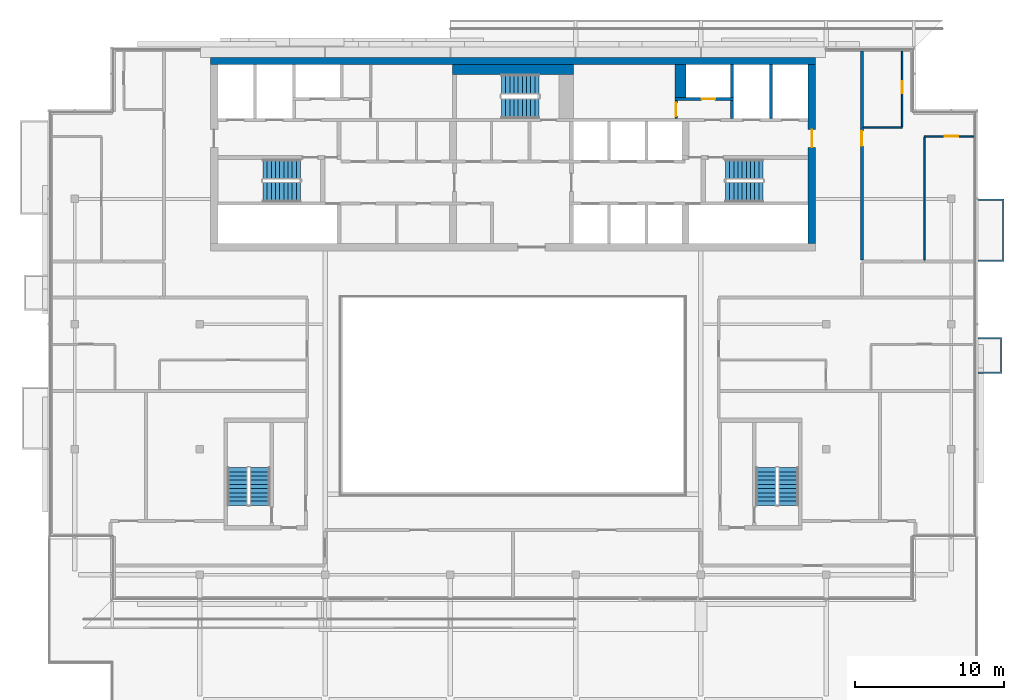
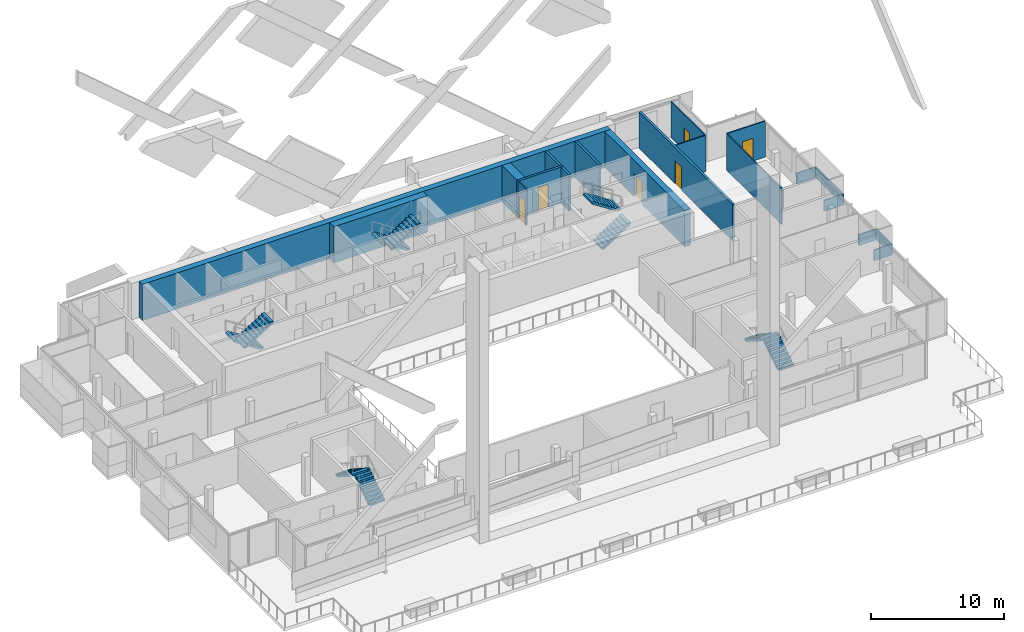
# One storey, part 16 of 22: 16 walls, 10 stair flights, 6 doors, 6 openings, 5 elements without a shape of their own.
"""IFC4 building model written with IfcOpenShell, lengths in metres."""

from ifc_helpers import new_model, si_unit, direction, frame, frame_2d, origin, place, context, subcontext, project, spatial, polyline, rectangle, outline, extrude, material, layer, layer_set, type_object, element, fill, aggregate, save


model = new_model("IFC4")

# Units and contexts
model_context = context("Model", 3, precision=1e-05, world=origin(), true_north=direction((0.0, 1.0)))
body_context = subcontext(model_context, "Body", "Model", "MODEL_VIEW")
ifc_project = project(units=[si_unit("LENGTHUNIT", "METRE"), si_unit("AREAUNIT", "SQUARE_METRE"), si_unit("VOLUMEUNIT", "CUBIC_METRE"), si_unit("PLANEANGLEUNIT", "RADIAN"), si_unit("MASSUNIT", "GRAM", prefix="KILO")], contexts=[model_context])

# Site, building, storey
site_placement = place(None, origin())
site = spatial("IfcSite", under=ifc_project, at=site_placement, CompositionType="ELEMENT")
building_placement = place(site_placement, origin())
building = spatial("IfcBuilding", under=site, at=building_placement, Name="Saffron Gate Tower", CompositionType="ELEMENT")
storey_placement = place(building_placement, frame((0.0, 0.0, 285.14990234375)))
storey = spatial("IfcBuildingStorey", under=building, at=storey_placement, Name="L69", CompositionType="ELEMENT", Elevation=285.14990234375)

# Wall
ifc_material_1 = material(Name="Concrete C50", Category="concrete")
ifc_layer_1 = layer(ifc_material_1, 0.5)
ifc_layer_set_1 = layer_set([ifc_layer_1], Name="CW22 RC core wall 500 C50")
wall_type_1 = type_object("IfcWallType", Name="CW22 RC core wall 500 C50", PredefinedType="SOLIDWALL", material=ifc_layer_set_1)
wall_1_placement = place(storey_placement, frame((67.300048828125, 74.64990234375, 0.0), z_axis=(0.0, 0.0, 1.0), x_axis=(1.0, 0.0, 0.0)))
element("IfcWall", 1, at=wall_1_placement, inside=storey, type_object=wall_type_1, Name="Wall CW22-L69-2", PredefinedType="SOLIDWALL", context=body_context, shape_type="SweptSolid", body=[
    extrude(rectangle(XDim=40.599853515625, YDim=0.5, at=frame_2d((20.2998046875, 0.0))), origin(), (0.0, 0.0, 1.0), 3.320068359375),
])

# Wall, opening, door
wall_2_placement = place(storey_placement, frame((107.64990234375, 62.39990234375, 0.0), z_axis=(0.0, 0.0, 1.0), x_axis=(0.0, 1.0, 0.0)))
wall_2 = element("IfcWall", 2, at=wall_2_placement, inside=storey, type_object=wall_type_1, Name="Wall CW22-L69-4", PredefinedType="SOLIDWALL", context=body_context, shape_type="SweptSolid", body=[
    extrude(rectangle(XDim=12.0, YDim=0.5, at=frame_2d((6.0, 0.0))), origin(), (0.0, 0.0, 1.0), 3.320068359375),
])
opening_1_placement = place(wall_2_placement, frame((6.449951171875, 0.0, 0.0)))
opening_1 = element("IfcOpeningElement", 3, at=opening_1_placement, cuts=wall_2, Name="Opening CR-08", PredefinedType="OPENING", context=body_context, shape_type="SweptSolid", body=[
    extrude(rectangle(XDim=1.199951171875, YDim=2.10009765625, at=frame_2d((0.60009765625, 1.050048828125))), frame((0.0, 0.260009765625, 0.0), z_axis=(0.0, -1.0, 0.0), x_axis=(1.0, 0.0, 0.0)), (0.0, 0.0, 1.0), 0.52001953125),
])
ifc_material_2 = material(Name="Steel fire door set", Category="steel")
door_type_1 = type_object("IfcDoorType", Name="CD7 Core entrance door 1200x2100 EI 120", OperationType="NOTDEFINED", PredefinedType="DOOR", material=ifc_material_2)
door_1_placement = place(opening_1_placement, origin())
door_1 = element("IfcDoor", 4, at=door_1_placement, inside=storey, type_object=door_type_1, Name="DOOR CR-08", OperationType="SINGLE_SWING_RIGHT", OverallHeight=2.10009765625, OverallWidth=1.199951171875, PredefinedType="DOOR", context=body_context, shape_type="SweptSolid", body=[
    extrude(rectangle(XDim=1.199951171875, YDim=2.10009765625, at=frame_2d((0.60009765625, 1.050048828125))), frame((0.0, 0.02490234375, 0.0), z_axis=(0.0, -1.0, 0.0), x_axis=(1.0, 0.0, 0.0)), (0.0, 0.0, 1.0), 0.050048828125),
])
fill(opening_1, door_1)

# Walls
ifc_layer_2 = layer(ifc_material_1, 0.199951171875)
ifc_layer_set_2 = layer_set([ifc_layer_2], Name="CW25 RC core wall 200 C50")
wall_type_2 = type_object("IfcWallType", Name="CW25 RC core wall 200 C50", PredefinedType="SOLIDWALL", material=ifc_layer_set_2)
wall_3_placement = place(storey_placement, frame((102.300048828125, 70.800048828125, 0.0), z_axis=(0.0, 0.0, 1.0), x_axis=(0.0, 1.0, 0.0)))
element("IfcWall", 5, at=wall_3_placement, inside=storey, type_object=wall_type_2, Name="Wall CW25-L69-40", PredefinedType="SOLIDWALL", context=body_context, shape_type="SweptSolid", body=[
    extrude(rectangle(XDim=1.199951171875, YDim=0.199951171875, at=frame_2d((0.60009765625, 0.0))), origin(), (0.0, 0.0, 1.0), 3.320068359375),
])
wall_4_placement = place(storey_placement, frame((104.89990234375, 70.800048828125, 0.0), z_axis=(0.0, 0.0, 1.0), x_axis=(0.0, 1.0, 0.0)))
element("IfcWall", 6, at=wall_4_placement, inside=storey, type_object=wall_type_2, Name="Wall CW25-L69-41", PredefinedType="SOLIDWALL", context=body_context, shape_type="SweptSolid", body=[
    extrude(rectangle(XDim=3.599853515625, YDim=0.199951171875, at=frame_2d((1.7998046875, 0.0))), origin(), (0.0, 0.0, 1.0), 3.320068359375),
])

# Wall, opening, door
wall_5_placement = place(storey_placement, frame((98.47998046875, 72.10009765625, 0.0), z_axis=(0.0, 0.0, 1.0), x_axis=(1.0, 0.0, 0.0)))
wall_5 = element("IfcWall", 7, at=wall_5_placement, inside=storey, type_object=wall_type_2, Name="Wall CW25-L69-43", PredefinedType="SOLIDWALL", context=body_context, shape_type="SweptSolid", body=[
    extrude(rectangle(XDim=3.919921875, YDim=0.199951171875, at=frame_2d((1.9599609375, 0.0))), origin(), (0.0, 0.0, 1.0), 3.320068359375),
])
opening_2_placement = place(wall_5_placement, frame((1.77001953125, 0.0, 0.0)))
opening_2 = element("IfcOpeningElement", 8, at=opening_2_placement, cuts=wall_5, Name="Opening CR-70", PredefinedType="OPENING", context=body_context, shape_type="SweptSolid", body=[
    extrude(rectangle(XDim=0.89990234375, YDim=2.10009765625, at=frame_2d((0.449951171875, 1.050048828125))), frame((0.0, 0.10986328125, 0.0), z_axis=(0.0, -1.0, 0.0), x_axis=(1.0, 0.0, 0.0)), (0.0, 0.0, 1.0), 0.219970703125),
])
door_type_2 = type_object("IfcDoorType", Name="CD2 Riser door 900x2100 EI 60", OperationType="NOTDEFINED", PredefinedType="DOOR", material=ifc_material_2)
door_2_placement = place(opening_2_placement, origin())
door_2 = element("IfcDoor", 9, at=door_2_placement, inside=storey, type_object=door_type_2, Name="DOOR CR-70", OperationType="SINGLE_SWING_LEFT", OverallHeight=2.10009765625, OverallWidth=0.89990234375, PredefinedType="DOOR", context=body_context, shape_type="SweptSolid", body=[
    extrude(rectangle(XDim=0.89990234375, YDim=2.10009765625, at=frame_2d((0.449951171875, 1.050048828125))), frame((0.0, 0.02490234375, 0.0), z_axis=(0.0, -1.0, 0.0), x_axis=(1.0, 0.0, 0.0)), (0.0, 0.0, 1.0), 0.050048828125),
])
fill(opening_2, door_2)

# Walls
wall_6_placement = place(storey_placement, frame((102.300048828125, 72.199951171875, 0.0), z_axis=(0.0, 0.0, 1.0), x_axis=(0.0, 1.0, 0.0)))
element("IfcWall", 10, at=wall_6_placement, inside=storey, type_object=wall_type_2, Name="Wall CW25-L69-48", PredefinedType="SOLIDWALL", context=body_context, shape_type="SweptSolid", body=[
    extrude(rectangle(XDim=2.199951171875, YDim=0.199951171875, at=frame_2d((1.10009765625, 0.0))), origin(), (0.0, 0.0, 1.0), 3.320068359375),
])
ifc_layer_3 = layer(ifc_material_1, 0.64990234375)
ifc_layer_set_3 = layer_set([ifc_layer_3], Name="CW29 RC core wall 650 C50")
wall_type_3 = type_object("IfcWallType", Name="CW29 RC core wall 650 C50", PredefinedType="SOLIDWALL", material=ifc_layer_set_3)
wall_7_placement = place(storey_placement, frame((83.550048828125, 74.074951171875, 0.0), z_axis=(0.0, 0.0, 1.0), x_axis=(1.0, 0.0, 0.0)))
element("IfcWall", 11, at=wall_7_placement, inside=storey, type_object=wall_type_3, Name="Wall CW29-L69-49", PredefinedType="SOLIDWALL", context=body_context, shape_type="SweptSolid", body=[
    extrude(rectangle(XDim=8.099853515625, YDim=0.64990234375, at=frame_2d((4.0498046875, 0.0))), origin(), (0.0, 0.0, 1.0), 3.320068359375),
])
ifc_layer_4 = layer(ifc_material_1, 0.719970703125)
ifc_layer_set_4 = layer_set([ifc_layer_4], Name="CW30 RC core wall 720 C50")
wall_type_4 = type_object("IfcWallType", Name="CW30 RC core wall 720 C50", PredefinedType="SOLIDWALL", material=ifc_layer_set_4)
wall_8_placement = place(storey_placement, frame((98.840087890625, 72.199951171875, 0.0), z_axis=(0.0, 0.0, 1.0), x_axis=(0.0, 1.0, 0.0)))
element("IfcWall", 12, at=wall_8_placement, inside=storey, type_object=wall_type_4, Name="Wall CW30-L69-47", PredefinedType="SOLIDWALL", context=body_context, shape_type="SweptSolid", body=[
    extrude(rectangle(XDim=2.199951171875, YDim=0.719970703125, at=frame_2d((1.10009765625, 0.0))), origin(), (0.0, 0.0, 1.0), 3.320068359375),
])

# Wall, opening, door
ifc_material_3 = material(Name="Gypsum board partition on steel studs", Category="steel")
ifc_layer_5 = layer(ifc_material_3, 0.1201171875)
ifc_layer_set_5 = layer_set([ifc_layer_5], Name="CW8 Core partition 120")
wall_type_5 = type_object("IfcWallType", Name="CW8 Core partition 120", PredefinedType="PARTITIONING", material=ifc_layer_set_5)
wall_9_placement = place(storey_placement, frame((98.5400390625, 70.800048828125, 0.0), z_axis=(0.0, 0.0, 1.0), x_axis=(0.0, 1.0, 0.0)))
wall_9 = element("IfcWall", 13, at=wall_9_placement, inside=storey, type_object=wall_type_5, Name="Wall CW8-L69-39", PredefinedType="PARTITIONING", context=body_context, shape_type="SweptSolid", body=[
    extrude(rectangle(XDim=1.199951171875, YDim=0.1201171875, at=frame_2d((0.60009765625, 0.0))), origin(), (0.0, 0.0, 1.0), 3.320068359375),
])
opening_3_placement = place(wall_9_placement, frame((0.14990234375, 0.0, 0.0)))
opening_3 = element("IfcOpeningElement", 14, at=opening_3_placement, cuts=wall_9, Name="Opening CR-54", PredefinedType="OPENING", context=body_context, shape_type="SweptSolid", body=[
    extrude(rectangle(XDim=0.89990234375, YDim=2.10009765625, at=frame_2d((0.449951171875, 1.050048828125))), frame((0.0, 0.070068359375, 0.0), z_axis=(0.0, -1.0, 0.0), x_axis=(1.0, 0.0, 0.0)), (0.0, 0.0, 1.0), 0.14013671875),
])
door_type_3 = type_object("IfcDoorType", Name="CD9 Room door 900x2100 EI 60", OperationType="NOTDEFINED", PredefinedType="DOOR", material=ifc_material_2)
door_3_placement = place(opening_3_placement, origin())
door_3 = element("IfcDoor", 15, at=door_3_placement, inside=storey, type_object=door_type_3, Name="DOOR CR-54", OperationType="SINGLE_SWING_LEFT", OverallHeight=2.10009765625, OverallWidth=0.89990234375, PredefinedType="DOOR", context=body_context, shape_type="SweptSolid", body=[
    extrude(rectangle(XDim=0.89990234375, YDim=2.10009765625, at=frame_2d((0.449951171875, 1.050048828125))), frame((0.0, 0.02490234375, 0.0), z_axis=(0.0, -1.0, 0.0), x_axis=(1.0, 0.0, 0.0)), (0.0, 0.0, 1.0), 0.050048828125),
])
fill(opening_3, door_3)

ifc_material_4 = material(Name="Plasterboard on steel studs", Category="steel")
ifc_layer_6 = layer(ifc_material_4, 0.10009765625)
ifc_layer_set_6 = layer_set([ifc_layer_6], Name="PW1 Partition 100")
wall_type_6 = type_object("IfcWallType", Name="PW1 Partition 100", PredefinedType="PARTITIONING", material=ifc_layer_set_6)
wall_10_placement = place(storey_placement, frame((118.52001953125, 69.60009765625, 0.0), z_axis=(0.0, 0.0, 1.0), x_axis=(-1.0, 0.0, 0.0)))
wall_10 = element("IfcWall", 16, at=wall_10_placement, inside=storey, type_object=wall_type_6, Name="Partition E4-24", PredefinedType="PARTITIONING", context=body_context, shape_type="SweptSolid", body=[
    extrude(rectangle(XDim=3.320068359375, YDim=0.10009765625, at=frame_2d((1.66015625, 0.0))), origin(), (0.0, 0.0, 1.0), 3.320068359375),
])
opening_4_placement = place(wall_10_placement, frame((1.070068359375, 0.0, 0.0)))
opening_4 = element("IfcOpeningElement", 17, at=opening_4_placement, cuts=wall_10, Name="Opening E4-8", PredefinedType="OPENING", context=body_context, shape_type="SweptSolid", body=[
    extrude(rectangle(XDim=0.89990234375, YDim=2.10009765625, at=frame_2d((0.449951171875, 1.050048828125))), frame((0.0, 0.06005859375, 0.0), z_axis=(0.0, -1.0, 0.0), x_axis=(1.0, 0.0, 0.0)), (0.0, 0.0, 1.0), 0.1201171875),
])
ifc_material_5 = material(Name="Timber door set", Category="wood")
door_type_4 = type_object("IfcDoorType", Name="RD1 Room door 900x2100", OperationType="NOTDEFINED", PredefinedType="DOOR", material=ifc_material_5)
door_4_placement = place(opening_4_placement, origin())
door_4 = element("IfcDoor", 18, at=door_4_placement, inside=storey, type_object=door_type_4, Name="Door E4-8", OperationType="SINGLE_SWING_LEFT", OverallHeight=2.10009765625, OverallWidth=0.89990234375, PredefinedType="DOOR", context=body_context, shape_type="SweptSolid", body=[
    extrude(rectangle(XDim=0.89990234375, YDim=2.10009765625, at=frame_2d((0.449951171875, 1.050048828125))), frame((0.0, 0.02490234375, 0.0), z_axis=(0.0, -1.0, 0.0), x_axis=(1.0, 0.0, 0.0)), (0.0, 0.0, 1.0), 0.050048828125),
])
fill(opening_4, door_4)

# Wall
wall_11_placement = place(storey_placement, frame((111.10009765625, 70.199951171875, 0.0), z_axis=(0.0, 0.0, 1.0), x_axis=(1.0, 0.0, 0.0)))
element("IfcWall", 19, at=wall_11_placement, inside=storey, type_object=wall_type_6, Name="Partition E4-25", PredefinedType="PARTITIONING", context=body_context, shape_type="SweptSolid", body=[
    extrude(rectangle(XDim=2.599853515625, YDim=0.10009765625, at=frame_2d((1.2998046875, 0.0))), origin(), (0.0, 0.0, 1.0), 3.320068359375),
])

# Wall, opening, door
wall_12_placement = place(storey_placement, frame((113.699951171875, 70.25, 0.0), z_axis=(0.0, 0.0, 1.0), x_axis=(0.0, 1.0, 0.0)))
wall_12 = element("IfcWall", 20, at=wall_12_placement, inside=storey, type_object=wall_type_6, Name="Partition E4-45", PredefinedType="PARTITIONING", context=body_context, shape_type="SweptSolid", body=[
    extrude(rectangle(XDim=5.070068359375, YDim=0.10009765625, at=frame_2d((2.53515625, 0.0))), origin(), (0.0, 0.0, 1.0), 3.320068359375),
])
opening_5_placement = place(wall_12_placement, frame((2.25, 0.0, 0.0)))
opening_5 = element("IfcOpeningElement", 21, at=opening_5_placement, cuts=wall_12, Name="Opening E4-12", PredefinedType="OPENING", context=body_context, shape_type="SweptSolid", body=[
    extrude(rectangle(XDim=0.800048828125, YDim=2.10009765625, at=frame_2d((0.39990234375, 1.050048828125))), frame((0.0, 0.06005859375, 0.0), z_axis=(0.0, -1.0, 0.0), x_axis=(1.0, 0.0, 0.0)), (0.0, 0.0, 1.0), 0.1201171875),
])
door_type_5 = type_object("IfcDoorType", Name="RD2 Bathroom door 800x2100", OperationType="NOTDEFINED", PredefinedType="DOOR", material=ifc_material_5)
door_5_placement = place(opening_5_placement, origin())
door_5 = element("IfcDoor", 22, at=door_5_placement, inside=storey, type_object=door_type_5, Name="Door E4-12", OperationType="SINGLE_SWING_RIGHT", OverallHeight=2.10009765625, OverallWidth=0.800048828125, PredefinedType="DOOR", context=body_context, shape_type="SweptSolid", body=[
    extrude(rectangle(XDim=0.800048828125, YDim=2.10009765625, at=frame_2d((0.39990234375, 1.050048828125))), frame((0.0, 0.02490234375, 0.0), z_axis=(0.0, -1.0, 0.0), x_axis=(1.0, 0.0, 0.0)), (0.0, 0.0, 1.0), 0.050048828125),
])
fill(opening_5, door_5)

# Wall
wall_13_placement = place(storey_placement, frame((115.199951171875, 69.550048828125, 0.0), z_axis=(0.0, 0.0, 1.0), x_axis=(0.0, -1.0, 0.0)))
element("IfcWall", 23, at=wall_13_placement, inside=storey, type_object=wall_type_6, Name="Partition E4-47", PredefinedType="PARTITIONING", context=body_context, shape_type="SweptSolid", body=[
    extrude(rectangle(XDim=8.25, YDim=0.10009765625, at=frame_2d((4.125, 0.0))), origin(), (0.0, 0.0, 1.0), 3.320068359375),
])

# Wall, opening, door
ifc_material_6 = material(Name="Clay brick masonry, rendered", Category="masonry")
ifc_layer_7 = layer(ifc_material_6, 0.199951171875)
ifc_layer_set_7 = layer_set([ifc_layer_7], Name="PW3 Corridor wall 200")
wall_type_7 = type_object("IfcWallType", Name="PW3 Corridor wall 200", PredefinedType="PARTITIONING", material=ifc_layer_set_7)
wall_14_placement = place(storey_placement, frame((111.0, 75.320068359375, 0.0), z_axis=(0.0, 0.0, 1.0), x_axis=(0.0, -1.0, 0.0)))
wall_14 = element("IfcWall", 24, at=wall_14_placement, inside=storey, type_object=wall_type_7, Name="Wall E4-41", PredefinedType="PARTITIONING", context=body_context, shape_type="SweptSolid", body=[
    extrude(rectangle(XDim=14.02001953125, YDim=0.199951171875, at=frame_2d((7.010009765625, 0.0))), origin(), (0.0, 0.0, 1.0), 3.320068359375),
])
opening_6_placement = place(wall_14_placement, frame((5.3701171875, 0.0, 0.0)))
opening_6 = element("IfcOpeningElement", 25, at=opening_6_placement, cuts=wall_14, Name="Opening E4-4", PredefinedType="OPENING", context=body_context, shape_type="SweptSolid", body=[
    extrude(rectangle(XDim=1.0, YDim=2.10009765625, at=frame_2d((0.5, 1.050048828125))), frame((0.0, 0.10986328125, 0.0), z_axis=(0.0, -1.0, 0.0), x_axis=(1.0, 0.0, 0.0)), (0.0, 0.0, 1.0), 0.219970703125),
])
ifc_material_7 = material(Name="Timber fire door set", Category="wood")
door_type_6 = type_object("IfcDoorType", Name="FD1 Flat entry door 1000x2100", OperationType="NOTDEFINED", PredefinedType="DOOR", material=ifc_material_7)
door_6_placement = place(opening_6_placement, origin())
door_6 = element("IfcDoor", 26, at=door_6_placement, inside=storey, type_object=door_type_6, Name="Door E4-4", OperationType="SINGLE_SWING_RIGHT", OverallHeight=2.10009765625, OverallWidth=1.0, PredefinedType="DOOR", context=body_context, shape_type="SweptSolid", body=[
    extrude(rectangle(XDim=1.0, YDim=2.10009765625, at=frame_2d((0.5, 1.050048828125))), frame((0.0, 0.02490234375, 0.0), z_axis=(0.0, -1.0, 0.0), x_axis=(1.0, 0.0, 0.0)), (0.0, 0.0, 1.0), 0.050048828125),
])
fill(opening_6, door_6)

# Walls
ifc_material_8 = material(Name="Rendered insulated panel, white")
ifc_layer_8 = layer(ifc_material_8, 0.10009765625)
ifc_layer_set_8 = layer_set([ifc_layer_8], Name="WB3 box parapet white")
wall_type_8 = type_object("IfcWallType", Name="WB3 box parapet white", PredefinedType="SOLIDWALL", material=ifc_layer_set_8)
wall_15_placement = place(storey_placement, origin())
element("IfcWall", 27, at=wall_15_placement, inside=storey, type_object=wall_type_8, Name="WINDOW BOX parapet", PredefinedType="SOLIDWALL", context=body_context, shape_type="SweptSolid", body=[
    extrude(outline(polyline([(118.800048828125, 53.699951171875), (118.800048828125, 53.800048828125), (120.300048828125, 53.800048828125), (120.300048828125, 56.0), (118.800048828125, 56.0), (118.800048828125, 56.10009765625), (120.39990234375, 56.10009765625), (120.39990234375, 53.699951171875), (118.800048828125, 53.699951171875)])), origin(), (0.0, 0.0, 1.0), 1.0),
])
wall_16_placement = place(storey_placement, origin())
element("IfcWall", 28, at=wall_16_placement, inside=storey, type_object=wall_type_8, Name="WINDOW BOX parapet", PredefinedType="SOLIDWALL", context=body_context, shape_type="SweptSolid", body=[
    extrude(outline(polyline([(118.800048828125, 61.199951171875), (118.800048828125, 61.300048828125), (120.43310546875, 61.300048828125), (120.43310546875, 65.300048828125), (118.800048828125, 65.300048828125), (118.800048828125, 65.39990234375), (120.532958984375, 65.39990234375), (120.532958984375, 61.199951171875), (118.800048828125, 61.199951171875)])), origin(), (0.0, 0.0, 1.0), 1.0),
])

# Stair, stair flights
ifc_material_9 = material(Name="Concrete C40", Category="concrete")
stair_type = type_object("IfcStairType", Name="ST7 Stair 1350 wide, 20 risers of 180", PredefinedType="HALF_TURN_STAIR", material=ifc_material_9)
stair_1_placement = place(storey_placement, origin())
stair_1 = element("IfcStair", 29, at=stair_1_placement, inside=storey, type_object=stair_type, Name="L69 Exit stair A", PredefinedType="HALF_TURN_STAIR")
stair_flight_type = type_object("IfcStairFlightType", Name="SF3 Stair flight 1350 wide, riser 180 going 280", PredefinedType="STRAIGHT", material=ifc_material_9)
stair_flight_1_placement = place(storey_placement, frame((73.35009765625, 67.375, 0.0), z_axis=(0.0, 0.0, 1.0), x_axis=(-1.0, 0.0, 0.0)))
stair_flight_1 = element("IfcStairFlight", 30, at=stair_flight_1_placement, type_object=stair_flight_type, Name="ST-A flight 1", NumberOfRisers=10, NumberOfTreads=9, PredefinedType="STRAIGHT", RiserHeight=0.18, TreadLength=0.28, context=body_context, shape_type="SweptSolid", body=[
    extrude(outline(polyline([(0.0, 0.0), (0.0, 0.179931640625), (0.280029296875, 0.179931640625), (0.280029296875, 0.360107421875), (0.56005859375, 0.360107421875), (0.56005859375, 0.5400390625), (0.840087890625, 0.5400390625), (0.840087890625, 0.719970703125), (1.1201171875, 0.719970703125), (1.1201171875, 0.89990234375), (1.39990234375, 0.89990234375), (1.39990234375, 1.080078125), (1.679931640625, 1.080078125), (1.679931640625, 1.260009765625), (1.9599609375, 1.260009765625), (1.9599609375, 1.43994140625), (2.239990234375, 1.43994140625), (2.239990234375, 1.6201171875), (2.52001953125, 1.6201171875), (2.52001953125, 1.800048828125), (2.52001953125, 1.44189453125), (0.277099609375, 0.0), (0.0, 0.0)])), frame((0.0, 0.675048828125, 0.0), z_axis=(0.0, -1.0, 0.0), x_axis=(1.0, 0.0, 0.0)), (0.0, 0.0, 1.0), 1.35009765625),
])
stair_flight_2_placement = place(storey_placement, frame((70.830078125, 65.875, 1.800048828125), z_axis=(0.0, 0.0, 1.0), x_axis=(1.0, 0.0, 0.0)))
stair_flight_2 = element("IfcStairFlight", 31, at=stair_flight_2_placement, type_object=stair_flight_type, Name="ST-A flight 2", NumberOfRisers=10, NumberOfTreads=9, PredefinedType="STRAIGHT", RiserHeight=0.18, TreadLength=0.28, context=body_context, shape_type="SweptSolid", body=[
    extrude(outline(polyline([(0.0, 0.0), (0.0, 0.179931640625), (0.280029296875, 0.179931640625), (0.280029296875, 0.360107421875), (0.56005859375, 0.360107421875), (0.56005859375, 0.5400390625), (0.840087890625, 0.5400390625), (0.840087890625, 0.719970703125), (1.1201171875, 0.719970703125), (1.1201171875, 0.89990234375), (1.39990234375, 0.89990234375), (1.39990234375, 1.080078125), (1.679931640625, 1.080078125), (1.679931640625, 1.260009765625), (1.9599609375, 1.260009765625), (1.9599609375, 1.43994140625), (2.239990234375, 1.43994140625), (2.239990234375, 1.6201171875), (2.52001953125, 1.6201171875), (2.52001953125, 1.800048828125), (2.52001953125, 1.44189453125), (0.277099609375, 0.0), (0.0, 0.0)])), frame((0.0, 0.675048828125, 0.0), z_axis=(0.0, -1.0, 0.0), x_axis=(1.0, 0.0, 0.0)), (0.0, 0.0, 1.0), 1.35009765625),
])
aggregate(stair_1, [stair_flight_1, stair_flight_2])

stair_2_placement = place(storey_placement, origin())
stair_2 = element("IfcStair", 32, at=stair_2_placement, inside=storey, type_object=stair_type, Name="L69 Exit stair B", PredefinedType="HALF_TURN_STAIR")
stair_flight_3_placement = place(storey_placement, frame((101.85009765625, 65.875, 0.0), z_axis=(0.0, 0.0, 1.0), x_axis=(1.0, 0.0, 0.0)))
stair_flight_3 = element("IfcStairFlight", 33, at=stair_flight_3_placement, type_object=stair_flight_type, Name="ST-B flight 1", NumberOfRisers=10, NumberOfTreads=9, PredefinedType="STRAIGHT", RiserHeight=0.18, TreadLength=0.28, context=body_context, shape_type="SweptSolid", body=[
    extrude(outline(polyline([(0.0, 0.0), (0.0, 0.179931640625), (0.280029296875, 0.179931640625), (0.280029296875, 0.360107421875), (0.56005859375, 0.360107421875), (0.56005859375, 0.5400390625), (0.840087890625, 0.5400390625), (0.840087890625, 0.719970703125), (1.1201171875, 0.719970703125), (1.1201171875, 0.89990234375), (1.39990234375, 0.89990234375), (1.39990234375, 1.080078125), (1.679931640625, 1.080078125), (1.679931640625, 1.260009765625), (1.9599609375, 1.260009765625), (1.9599609375, 1.43994140625), (2.239990234375, 1.43994140625), (2.239990234375, 1.6201171875), (2.52001953125, 1.6201171875), (2.52001953125, 1.800048828125), (2.52001953125, 1.44189453125), (0.277099609375, 0.0), (0.0, 0.0)])), frame((0.0, 0.675048828125, 0.0), z_axis=(0.0, -1.0, 0.0), x_axis=(1.0, 0.0, 0.0)), (0.0, 0.0, 1.0), 1.35009765625),
])
stair_flight_4_placement = place(storey_placement, frame((104.3701171875, 67.375, 1.800048828125), z_axis=(0.0, 0.0, 1.0), x_axis=(-1.0, 0.0, 0.0)))
stair_flight_4 = element("IfcStairFlight", 34, at=stair_flight_4_placement, type_object=stair_flight_type, Name="ST-B flight 2", NumberOfRisers=10, NumberOfTreads=9, PredefinedType="STRAIGHT", RiserHeight=0.18, TreadLength=0.28, context=body_context, shape_type="SweptSolid", body=[
    extrude(outline(polyline([(0.0, 0.0), (0.0, 0.179931640625), (0.280029296875, 0.179931640625), (0.280029296875, 0.360107421875), (0.56005859375, 0.360107421875), (0.56005859375, 0.5400390625), (0.840087890625, 0.5400390625), (0.840087890625, 0.719970703125), (1.1201171875, 0.719970703125), (1.1201171875, 0.89990234375), (1.39990234375, 0.89990234375), (1.39990234375, 1.080078125), (1.679931640625, 1.080078125), (1.679931640625, 1.260009765625), (1.9599609375, 1.260009765625), (1.9599609375, 1.43994140625), (2.239990234375, 1.43994140625), (2.239990234375, 1.6201171875), (2.52001953125, 1.6201171875), (2.52001953125, 1.800048828125), (2.52001953125, 1.44189453125), (0.277099609375, 0.0), (0.0, 0.0)])), frame((0.0, 0.675048828125, 0.0), z_axis=(0.0, -1.0, 0.0), x_axis=(1.0, 0.0, 0.0)), (0.0, 0.0, 1.0), 1.35009765625),
])
aggregate(stair_2, [stair_flight_3, stair_flight_4])

stair_3_placement = place(storey_placement, origin())
stair_3 = element("IfcStair", 35, at=stair_3_placement, inside=storey, type_object=stair_type, Name="L69 Exit stair C", PredefinedType="HALF_TURN_STAIR")
stair_flight_5_placement = place(storey_placement, frame((89.35009765625, 73.074951171875, 0.0), z_axis=(0.0, 0.0, 1.0), x_axis=(-1.0, 0.0, 0.0)))
stair_flight_5 = element("IfcStairFlight", 36, at=stair_flight_5_placement, type_object=stair_flight_type, Name="ST-C flight 1", NumberOfRisers=10, NumberOfTreads=9, PredefinedType="STRAIGHT", RiserHeight=0.18, TreadLength=0.28, context=body_context, shape_type="SweptSolid", body=[
    extrude(outline(polyline([(0.0, 0.0), (0.0, 0.179931640625), (0.280029296875, 0.179931640625), (0.280029296875, 0.360107421875), (0.56005859375, 0.360107421875), (0.56005859375, 0.5400390625), (0.840087890625, 0.5400390625), (0.840087890625, 0.719970703125), (1.1201171875, 0.719970703125), (1.1201171875, 0.89990234375), (1.39990234375, 0.89990234375), (1.39990234375, 1.080078125), (1.679931640625, 1.080078125), (1.679931640625, 1.260009765625), (1.9599609375, 1.260009765625), (1.9599609375, 1.43994140625), (2.239990234375, 1.43994140625), (2.239990234375, 1.6201171875), (2.52001953125, 1.6201171875), (2.52001953125, 1.800048828125), (2.52001953125, 1.44189453125), (0.277099609375, 0.0), (0.0, 0.0)])), frame((0.0, 0.675048828125, 0.0), z_axis=(0.0, -1.0, 0.0), x_axis=(1.0, 0.0, 0.0)), (0.0, 0.0, 1.0), 1.35009765625),
])
stair_flight_6_placement = place(storey_placement, frame((86.830078125, 71.47509765625, 1.800048828125), z_axis=(0.0, 0.0, 1.0), x_axis=(1.0, 0.0, 0.0)))
stair_flight_6 = element("IfcStairFlight", 37, at=stair_flight_6_placement, type_object=stair_flight_type, Name="ST-C flight 2", NumberOfRisers=10, NumberOfTreads=9, PredefinedType="STRAIGHT", RiserHeight=0.18, TreadLength=0.28, context=body_context, shape_type="SweptSolid", body=[
    extrude(outline(polyline([(0.0, 0.0), (0.0, 0.179931640625), (0.280029296875, 0.179931640625), (0.280029296875, 0.360107421875), (0.56005859375, 0.360107421875), (0.56005859375, 0.5400390625), (0.840087890625, 0.5400390625), (0.840087890625, 0.719970703125), (1.1201171875, 0.719970703125), (1.1201171875, 0.89990234375), (1.39990234375, 0.89990234375), (1.39990234375, 1.080078125), (1.679931640625, 1.080078125), (1.679931640625, 1.260009765625), (1.9599609375, 1.260009765625), (1.9599609375, 1.43994140625), (2.239990234375, 1.43994140625), (2.239990234375, 1.6201171875), (2.52001953125, 1.6201171875), (2.52001953125, 1.800048828125), (2.52001953125, 1.44189453125), (0.277099609375, 0.0), (0.0, 0.0)])), frame((0.0, 0.675048828125, 0.0), z_axis=(0.0, -1.0, 0.0), x_axis=(1.0, 0.0, 0.0)), (0.0, 0.0, 1.0), 1.35009765625),
])
aggregate(stair_3, [stair_flight_5, stair_flight_6])

stair_4_placement = place(storey_placement, origin())
stair_4 = element("IfcStair", 38, at=stair_4_placement, inside=storey, type_object=stair_type, Name="L69 Exit stair D", PredefinedType="HALF_TURN_STAIR")
stair_flight_7_placement = place(storey_placement, frame((70.625, 44.85009765625, 0.0), z_axis=(0.0, 0.0, 1.0), x_axis=(0.0, 1.0, 0.0)))
stair_flight_7 = element("IfcStairFlight", 39, at=stair_flight_7_placement, type_object=stair_flight_type, Name="ST-D flight 1", NumberOfRisers=10, NumberOfTreads=9, PredefinedType="STRAIGHT", RiserHeight=0.18, TreadLength=0.28, context=body_context, shape_type="SweptSolid", body=[
    extrude(outline(polyline([(0.0, 0.0), (0.0, 0.179931640625), (0.280029296875, 0.179931640625), (0.280029296875, 0.360107421875), (0.56005859375, 0.360107421875), (0.56005859375, 0.5400390625), (0.840087890625, 0.5400390625), (0.840087890625, 0.719970703125), (1.1201171875, 0.719970703125), (1.1201171875, 0.89990234375), (1.39990234375, 0.89990234375), (1.39990234375, 1.080078125), (1.679931640625, 1.080078125), (1.679931640625, 1.260009765625), (1.9599609375, 1.260009765625), (1.9599609375, 1.43994140625), (2.239990234375, 1.43994140625), (2.239990234375, 1.6201171875), (2.52001953125, 1.6201171875), (2.52001953125, 1.800048828125), (2.52001953125, 1.44189453125), (0.277099609375, 0.0), (0.0, 0.0)])), frame((0.0, 0.675048828125, 0.0), z_axis=(0.0, -1.0, 0.0), x_axis=(1.0, 0.0, 0.0)), (0.0, 0.0, 1.0), 1.35009765625),
])
stair_flight_8_placement = place(storey_placement, frame((69.125, 47.3701171875, 1.800048828125), z_axis=(0.0, 0.0, 1.0), x_axis=(0.0, -1.0, 0.0)))
stair_flight_8 = element("IfcStairFlight", 40, at=stair_flight_8_placement, type_object=stair_flight_type, Name="ST-D flight 2", NumberOfRisers=10, NumberOfTreads=9, PredefinedType="STRAIGHT", RiserHeight=0.18, TreadLength=0.28, context=body_context, shape_type="SweptSolid", body=[
    extrude(outline(polyline([(0.0, 0.0), (0.0, 0.179931640625), (0.280029296875, 0.179931640625), (0.280029296875, 0.360107421875), (0.56005859375, 0.360107421875), (0.56005859375, 0.5400390625), (0.840087890625, 0.5400390625), (0.840087890625, 0.719970703125), (1.1201171875, 0.719970703125), (1.1201171875, 0.89990234375), (1.39990234375, 0.89990234375), (1.39990234375, 1.080078125), (1.679931640625, 1.080078125), (1.679931640625, 1.260009765625), (1.9599609375, 1.260009765625), (1.9599609375, 1.43994140625), (2.239990234375, 1.43994140625), (2.239990234375, 1.6201171875), (2.52001953125, 1.6201171875), (2.52001953125, 1.800048828125), (2.52001953125, 1.44189453125), (0.277099609375, 0.0), (0.0, 0.0)])), frame((0.0, 0.675048828125, 0.0), z_axis=(0.0, -1.0, 0.0), x_axis=(1.0, 0.0, 0.0)), (0.0, 0.0, 1.0), 1.35009765625),
])
aggregate(stair_4, [stair_flight_7, stair_flight_8])

stair_5_placement = place(storey_placement, origin())
stair_5 = element("IfcStair", 41, at=stair_5_placement, inside=storey, type_object=stair_type, Name="L69 Exit stair E", PredefinedType="HALF_TURN_STAIR")
stair_flight_9_placement = place(storey_placement, frame((106.074951171875, 44.85009765625, 0.0), z_axis=(0.0, 0.0, 1.0), x_axis=(0.0, 1.0, 0.0)))
stair_flight_9 = element("IfcStairFlight", 42, at=stair_flight_9_placement, type_object=stair_flight_type, Name="ST-E flight 1", NumberOfRisers=10, NumberOfTreads=9, PredefinedType="STRAIGHT", RiserHeight=0.18, TreadLength=0.28, context=body_context, shape_type="SweptSolid", body=[
    extrude(outline(polyline([(0.0, 0.0), (0.0, 0.179931640625), (0.280029296875, 0.179931640625), (0.280029296875, 0.360107421875), (0.56005859375, 0.360107421875), (0.56005859375, 0.5400390625), (0.840087890625, 0.5400390625), (0.840087890625, 0.719970703125), (1.1201171875, 0.719970703125), (1.1201171875, 0.89990234375), (1.39990234375, 0.89990234375), (1.39990234375, 1.080078125), (1.679931640625, 1.080078125), (1.679931640625, 1.260009765625), (1.9599609375, 1.260009765625), (1.9599609375, 1.43994140625), (2.239990234375, 1.43994140625), (2.239990234375, 1.6201171875), (2.52001953125, 1.6201171875), (2.52001953125, 1.800048828125), (2.52001953125, 1.44189453125), (0.277099609375, 0.0), (0.0, 0.0)])), frame((0.0, 0.675048828125, 0.0), z_axis=(0.0, -1.0, 0.0), x_axis=(1.0, 0.0, 0.0)), (0.0, 0.0, 1.0), 1.35009765625),
])
stair_flight_10_placement = place(storey_placement, frame((104.574951171875, 47.3701171875, 1.800048828125), z_axis=(0.0, 0.0, 1.0), x_axis=(0.0, -1.0, 0.0)))
stair_flight_10 = element("IfcStairFlight", 43, at=stair_flight_10_placement, type_object=stair_flight_type, Name="ST-E flight 2", NumberOfRisers=10, NumberOfTreads=9, PredefinedType="STRAIGHT", RiserHeight=0.18, TreadLength=0.28, context=body_context, shape_type="SweptSolid", body=[
    extrude(outline(polyline([(0.0, 0.0), (0.0, 0.179931640625), (0.280029296875, 0.179931640625), (0.280029296875, 0.360107421875), (0.56005859375, 0.360107421875), (0.56005859375, 0.5400390625), (0.840087890625, 0.5400390625), (0.840087890625, 0.719970703125), (1.1201171875, 0.719970703125), (1.1201171875, 0.89990234375), (1.39990234375, 0.89990234375), (1.39990234375, 1.080078125), (1.679931640625, 1.080078125), (1.679931640625, 1.260009765625), (1.9599609375, 1.260009765625), (1.9599609375, 1.43994140625), (2.239990234375, 1.43994140625), (2.239990234375, 1.6201171875), (2.52001953125, 1.6201171875), (2.52001953125, 1.800048828125), (2.52001953125, 1.44189453125), (0.277099609375, 0.0), (0.0, 0.0)])), frame((0.0, 0.675048828125, 0.0), z_axis=(0.0, -1.0, 0.0), x_axis=(1.0, 0.0, 0.0)), (0.0, 0.0, 1.0), 1.35009765625),
])
aggregate(stair_5, [stair_flight_9, stair_flight_10])

save(model, "model.ifc")
